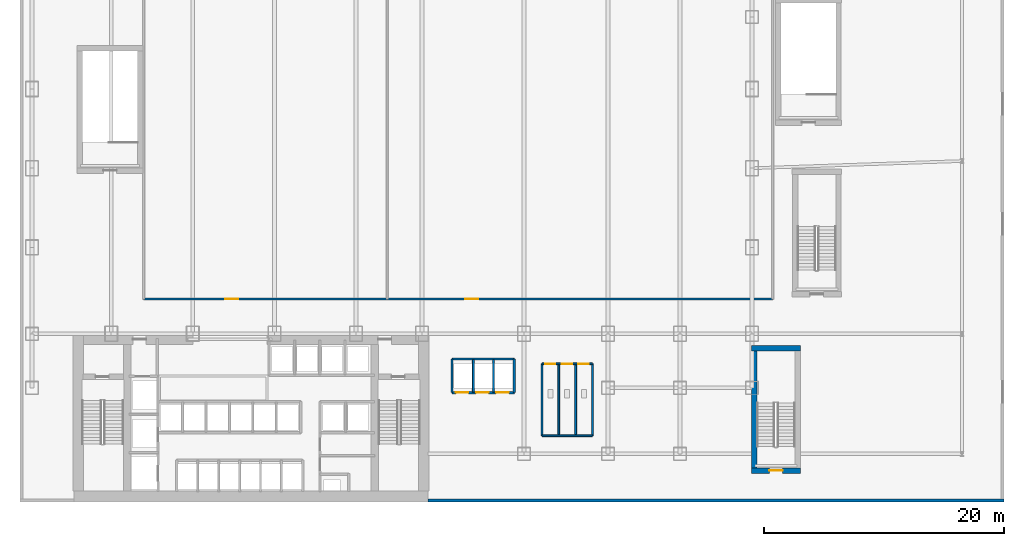
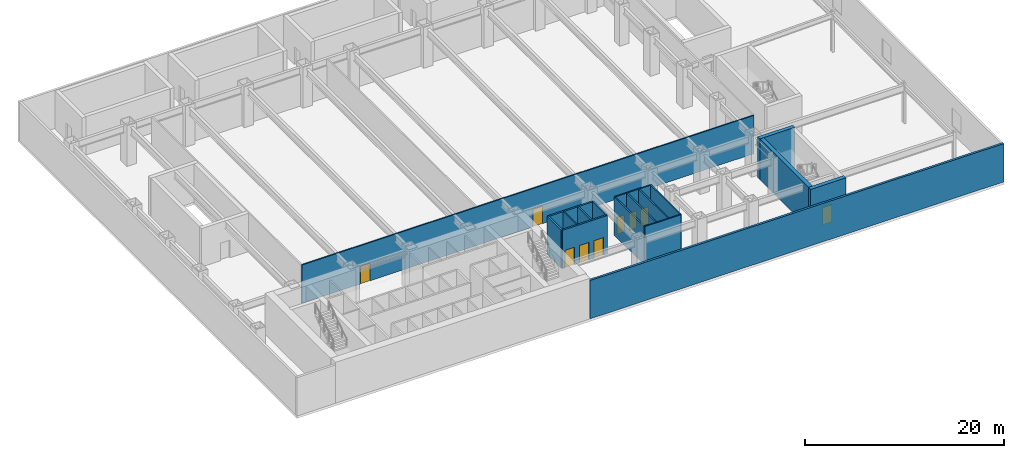
# One storey, part 7 of 14: 17 walls, 9 doors, 9 openings.
"""IFC4 building model written with IfcOpenShell, lengths in metres."""

from ifc_helpers import new_model, si_unit, derived_unit, direction, frame, frame_2d, origin, place, context, subcontext, project, spatial, rectangle, extrude, source, transform, mapped, material, layer, layer_set, type_object, element, fill, save


model = new_model("IFC4")

# Units and contexts
model_context = context("Model", 3, precision=1e-05, world=origin(), true_north=direction((0.0, 1.0)))
body_context = subcontext(model_context, "Body", "Model", "MODEL_VIEW")
ifc_project = project(units=[si_unit("LENGTHUNIT", "METRE"), si_unit("AREAUNIT", "SQUARE_METRE"), si_unit("VOLUMEUNIT", "CUBIC_METRE"), si_unit("PLANEANGLEUNIT", "RADIAN"), si_unit("MASSUNIT", "GRAM", prefix="KILO"), derived_unit("THERMALTRANSMITTANCEUNIT", [(si_unit("POWERUNIT", "WATT"), 1), (si_unit("LENGTHUNIT", "METRE"), -2), (si_unit("THERMODYNAMICTEMPERATUREUNIT", "KELVIN"), -1)])], contexts=[model_context])

# Site, building, storey
site_placement = place(None, origin())
site = spatial("IfcSite", under=ifc_project, at=site_placement, CompositionType="ELEMENT")
building_placement = place(site_placement, origin())
building = spatial("IfcBuilding", under=site, at=building_placement, Name="Skarnbrae Concourse Arena and Tower", CompositionType="ELEMENT")
storey_placement = place(building_placement, frame((0.0, 0.0, 21.0)))
storey = spatial("IfcBuildingStorey", under=building, at=storey_placement, Name="L04", CompositionType="ELEMENT", Elevation=21.0)

# Wall
ifc_material_1 = material(Name="Precast concrete 40 MPa (C40/50)", Category="concrete")
ifc_layer_1 = layer(ifc_material_1, 0.25)
ifc_layer_set_1 = layer_set([ifc_layer_1], Name="Precast concrete 40 MPa (C40/50)")
wall_type_1 = type_object("IfcWallType", Name="WALL-EXT-SPANDREL-250", PredefinedType="STANDARD", material=ifc_layer_set_1)
shared_shape_1 = source(origin(), body_context, "Body", "SweptSolid", [
    extrude(rectangle(XDim=48.0, YDim=0.25, at=frame_2d((24.0, 0.0))), origin(), (0.0, 0.0, 1.0), 4.699951171875),
])
wall_1_placement = place(storey_placement, frame((34.0, 0.125, 0.0), z_axis=(0.0, 0.0, 1.0), x_axis=(1.0, 0.0, 0.0)))
element("IfcWall", 1, at=wall_1_placement, inside=storey, type_object=wall_type_1, Name="L04 Podium exterior precast wall SE", PredefinedType="STANDARD", context=body_context, shape_type="MappedRepresentation", body=[
    mapped(shared_shape_1, transform((0.0, 0.0, 0.0))),
])

# Wall, opening, door
ifc_material_2 = material(Name="Concrete 50 MPa (C50/60)", Category="concrete")
ifc_layer_2 = layer(ifc_material_2, 0.449951171875)
ifc_layer_set_2 = layer_set([ifc_layer_2], Name="Concrete 50 MPa (C50/60)")
wall_type_2 = type_object("IfcWallType", Name="WALL-CORE-450-C50", PredefinedType="SHEAR", material=ifc_layer_set_2)
shared_shape_2 = source(origin(), body_context, "Body", "SweptSolid", [
    extrude(rectangle(XDim=4.10009765625, YDim=0.449951171875, at=frame_2d((2.050048828125, 0.0))), origin(), (0.0, 0.0, 1.0), 5.0),
])
wall_2_placement = place(storey_placement, frame((60.949951171875, 2.594970703125, 0.0), z_axis=(0.0, 0.0, 1.0), x_axis=(1.0, 0.0, 0.0)))
wall_2 = element("IfcWall", 2, at=wall_2_placement, inside=storey, type_object=wall_type_2, Name="L04 Protected stair shaft wall ST-A1-S", PredefinedType="SHEAR", context=body_context, shape_type="MappedRepresentation", body=[
    mapped(shared_shape_2, transform((0.0, 0.0, 0.0))),
])
opening_1_placement = place(wall_2_placement, frame((1.5, 0.0, 0.0)))
opening_1 = element("IfcOpeningElement", 3, at=opening_1_placement, cuts=wall_2, Name="Opening DT-03", PredefinedType="OPENING", context=body_context, shape_type="SweptSolid", body=[
    extrude(rectangle(XDim=1.10009765625, YDim=2.14990234375, at=frame_2d((0.550048828125, 1.074951171875))), frame((0.0, 0.23486328125, 0.0), z_axis=(0.0, -1.0, 0.0), x_axis=(1.0, 0.0, 0.0)), (0.0, 0.0, 1.0), 0.469970703125),
])
ifc_material_3 = material(Name="Steel CSA G40.21 350W", Category="steel")
door_type_1 = type_object("IfcDoorType", Name="DOOR-FIRE-1100-90M", OperationType="NOTDEFINED", PredefinedType="DOOR", material=ifc_material_3)
shared_shape_3 = source(origin(), body_context, "Body", "SweptSolid", [
    extrude(rectangle(XDim=1.10009765625, YDim=2.14990234375, at=frame_2d((0.550048828125, 1.074951171875))), frame((0.0, 0.02490234375, 0.0), z_axis=(0.0, -1.0, 0.0), x_axis=(1.0, 0.0, 0.0)), (0.0, 0.0, 1.0), 0.050048828125),
])
door_1_placement = place(opening_1_placement, origin())
door_1 = element("IfcDoor", 4, at=door_1_placement, inside=storey, type_object=door_type_1, Name="D-0298 Exit Stair ST-A1 Door", OperationType="SINGLE_SWING_LEFT", OverallHeight=2.14990234375, OverallWidth=1.10009765625, PredefinedType="DOOR", context=body_context, shape_type="MappedRepresentation", body=[
    mapped(shared_shape_3, transform((0.0, 0.0, 0.0))),
])
fill(opening_1, door_1)

# Walls
wall_3_placement = place(storey_placement, frame((60.949951171875, 12.804931640625, 0.0), z_axis=(0.0, 0.0, 1.0), x_axis=(1.0, 0.0, 0.0)))
element("IfcWall", 5, at=wall_3_placement, inside=storey, type_object=wall_type_2, Name="L04 Protected stair shaft wall ST-A1-N", PredefinedType="SHEAR", context=body_context, shape_type="MappedRepresentation", body=[
    mapped(shared_shape_2, transform((0.0, 0.0, 0.0))),
])
shared_shape_4 = source(origin(), body_context, "Body", "SweptSolid", [
    extrude(rectangle(XDim=9.800048828125, YDim=0.449951171875, at=frame_2d((4.89990234375, 0.0))), origin(), (0.0, 0.0, 1.0), 5.0),
])
wall_4_placement = place(storey_placement, frame((61.195068359375, 2.800048828125, 0.0), z_axis=(0.0, 0.0, 1.0), x_axis=(0.0, 1.0, 0.0)))
element("IfcWall", 6, at=wall_4_placement, inside=storey, type_object=wall_type_2, Name="L04 Protected stair shaft wall ST-A1-W", PredefinedType="SHEAR", context=body_context, shape_type="MappedRepresentation", body=[
    mapped(shared_shape_4, transform((0.0, 0.0, 0.0))),
])

# Wall, openings, doors
ifc_material_4 = material(Name="Gypsum board on cold-formed steel studs", Category="steel")
ifc_layer_3 = layer(ifc_material_4, 0.199951171875)
ifc_layer_set_3 = layer_set([ifc_layer_3], Name="Gypsum board on cold-formed steel studs")
wall_type_3 = type_object("IfcWallType", Name="WALL-PART-200-2HR", PredefinedType="PARTITIONING", material=ifc_layer_set_3)
shared_shape_5 = source(origin(), body_context, "Body", "SweptSolid", [
    extrude(rectangle(XDim=5.199951171875, YDim=0.199951171875, at=frame_2d((2.60009765625, 0.0))), origin(), (0.0, 0.0, 1.0), 4.699951171875),
])
wall_5_placement = place(storey_placement, frame((36.0, 9.10009765625, 0.0), z_axis=(0.0, 0.0, 1.0), x_axis=(1.0, 0.0, 0.0)))
wall_5 = element("IfcWall", 7, at=wall_5_placement, inside=storey, type_object=wall_type_3, Name="L04 Interior partition wall W-L04-PLP-S", PredefinedType="PARTITIONING", context=body_context, shape_type="MappedRepresentation", body=[
    mapped(shared_shape_5, transform((0.0, 0.0, 0.0))),
])
opening_2_placement = place(wall_5_placement, frame((0.320068359375, 0.0, 0.0)))
opening_2 = element("IfcOpeningElement", 8, at=opening_2_placement, cuts=wall_5, Name="Opening LD-03", PredefinedType="OPENING", context=body_context, shape_type="SweptSolid", body=[
    extrude(rectangle(XDim=1.050048828125, YDim=2.14990234375, at=frame_2d((0.52490234375, 1.074951171875))), frame((0.0, 0.10986328125, 0.0), z_axis=(0.0, -1.0, 0.0), x_axis=(1.0, 0.0, 0.0)), (0.0, 0.0, 1.0), 0.219970703125),
])
opening_3_placement = place(wall_5_placement, frame((2.0, 0.0, 0.0)))
opening_3 = element("IfcOpeningElement", 9, at=opening_3_placement, cuts=wall_5, Name="Opening LD-03", PredefinedType="OPENING", context=body_context, shape_type="SweptSolid", body=[
    extrude(rectangle(XDim=1.050048828125, YDim=2.14990234375, at=frame_2d((0.52490234375, 1.074951171875))), frame((0.0, 0.10986328125, 0.0), z_axis=(0.0, -1.0, 0.0), x_axis=(1.0, 0.0, 0.0)), (0.0, 0.0, 1.0), 0.219970703125),
])
opening_4_placement = place(wall_5_placement, frame((3.679931640625, 0.0, 0.0)))
opening_4 = element("IfcOpeningElement", 10, at=opening_4_placement, cuts=wall_5, Name="Opening LD-03", PredefinedType="OPENING", context=body_context, shape_type="SweptSolid", body=[
    extrude(rectangle(XDim=1.050048828125, YDim=2.14990234375, at=frame_2d((0.52490234375, 1.074951171875))), frame((0.0, 0.10986328125, 0.0), z_axis=(0.0, -1.0, 0.0), x_axis=(1.0, 0.0, 0.0)), (0.0, 0.0, 1.0), 0.219970703125),
])
ifc_material_5 = material(Name="Bronze anodised aluminium 6063-T6", Category="aluminium")
door_type_2 = type_object("IfcDoorType", Name="DOOR-LIFT-SLIDE-1050", OperationType="SLIDING_TO_LEFT", PredefinedType="DOOR", material=ifc_material_5)
shared_shape_6 = source(origin(), body_context, "Body", "SweptSolid", [
    extrude(rectangle(XDim=1.050048828125, YDim=2.14990234375, at=frame_2d((0.52490234375, 1.074951171875))), frame((0.0, 0.02490234375, 0.0), z_axis=(0.0, -1.0, 0.0), x_axis=(1.0, 0.0, 0.0)), (0.0, 0.0, 1.0), 0.050048828125),
])
door_2_placement = place(opening_2_placement, frame((1.050048828125, 0.0, 0.0), z_axis=(0.0, 0.0, 1.0), x_axis=(-1.0, 0.0, 0.0)))
door_2 = element("IfcDoor", 11, at=door_2_placement, inside=storey, type_object=door_type_2, Name="D-0290 Transit Lift Landing Door PL-P1", OperationType="SLIDING_TO_LEFT", OverallHeight=2.14990234375, OverallWidth=1.050048828125, PredefinedType="DOOR", context=body_context, shape_type="MappedRepresentation", body=[
    mapped(shared_shape_6, transform((0.0, 0.0, 0.0))),
])
fill(opening_2, door_2)
door_3_placement = place(opening_3_placement, frame((1.050048828125, 0.0, 0.0), z_axis=(0.0, 0.0, 1.0), x_axis=(-1.0, 0.0, 0.0)))
door_3 = element("IfcDoor", 12, at=door_3_placement, inside=storey, type_object=door_type_2, Name="D-0291 Transit Lift Landing Door PL-P2", OperationType="SLIDING_TO_LEFT", OverallHeight=2.14990234375, OverallWidth=1.050048828125, PredefinedType="DOOR", context=body_context, shape_type="MappedRepresentation", body=[
    mapped(shared_shape_6, transform((0.0, 0.0, 0.0))),
])
fill(opening_3, door_3)
door_4_placement = place(opening_4_placement, frame((1.050048828125, 0.0, 0.0), z_axis=(0.0, 0.0, 1.0), x_axis=(-1.0, 0.0, 0.0)))
door_4 = element("IfcDoor", 13, at=door_4_placement, inside=storey, type_object=door_type_2, Name="D-0292 Transit Lift Landing Door PL-P3", OperationType="SLIDING_TO_LEFT", OverallHeight=2.14990234375, OverallWidth=1.050048828125, PredefinedType="DOOR", context=body_context, shape_type="MappedRepresentation", body=[
    mapped(shared_shape_6, transform((0.0, 0.0, 0.0))),
])
fill(opening_4, door_4)

# Walls
wall_6_placement = place(storey_placement, frame((36.0, 11.89990234375, 0.0), z_axis=(0.0, 0.0, 1.0), x_axis=(1.0, 0.0, 0.0)))
element("IfcWall", 14, at=wall_6_placement, inside=storey, type_object=wall_type_3, Name="L04 Interior partition wall W-L04-PLP-N", PredefinedType="PARTITIONING", context=body_context, shape_type="MappedRepresentation", body=[
    mapped(shared_shape_5, transform((0.0, 0.0, 0.0))),
])
shared_shape_7 = source(origin(), body_context, "Body", "SweptSolid", [
    extrude(rectangle(XDim=2.7998046875, YDim=0.199951171875, at=frame_2d((1.39990234375, 0.0))), origin(), (0.0, 0.0, 1.0), 4.699951171875),
])
for number, where, z_axis, x_axis, name in (
    (15, (36.0, 9.10009765625, 0.0), (0.0, 0.0, 1.0), (0.0, 1.0, 0.0), "L04 Interior partition wall W-L04-PLP-W"),
    (16, (41.199951171875, 9.10009765625, 0.0), (0.0, 0.0, 1.0), (0.0, 1.0, 0.0), "L04 Interior partition wall W-L04-PLP-E"),
):
    element("IfcWall", number, at=place(storey_placement, frame(where, z_axis=z_axis, x_axis=x_axis)), inside=storey, type_object=wall_type_3, Name=name, PredefinedType="PARTITIONING", context=body_context, shape_type="MappedRepresentation", body=[
        mapped(shared_shape_7, transform((0.0, 0.0, 0.0))),
    ])
ifc_layer_4 = layer(ifc_material_4, 0.14990234375)
ifc_layer_set_4 = layer_set([ifc_layer_4], Name="Gypsum board on cold-formed steel studs")
wall_type_4 = type_object("IfcWallType", Name="WALL-PART-150", PredefinedType="PARTITIONING", material=ifc_layer_set_4)
shared_shape_8 = source(origin(), body_context, "Body", "SweptSolid", [
    extrude(rectangle(XDim=2.7001953125, YDim=0.14990234375, at=frame_2d((1.35009765625, 0.0))), origin(), (0.0, 0.0, 1.0), 4.699951171875),
])
for number, where, z_axis, x_axis, name in (
    (17, (37.780029296875, 9.14990234375, 0.0), (0.0, 0.0, 1.0), (0.0, 1.0, 0.0), "L04 Interior partition wall W-L04-PLP-D1"),
    (18, (39.4599609375, 9.14990234375, 0.0), (0.0, 0.0, 1.0), (0.0, 1.0, 0.0), "L04 Interior partition wall W-L04-PLP-D2"),
):
    element("IfcWall", number, at=place(storey_placement, frame(where, z_axis=z_axis, x_axis=x_axis)), inside=storey, type_object=wall_type_4, Name=name, PredefinedType="PARTITIONING", context=body_context, shape_type="MappedRepresentation", body=[
        mapped(shared_shape_8, transform((0.0, 0.0, 0.0))),
    ])

# Wall, openings, doors
shared_shape_9 = source(origin(), body_context, "Body", "SweptSolid", [
    extrude(rectangle(XDim=4.199951171875, YDim=0.14990234375, at=frame_2d((2.10009765625, 0.0))), origin(), (0.0, 0.0, 1.0), 4.699951171875),
])
wall_7_placement = place(storey_placement, frame((43.5, 11.5, 0.0), z_axis=(0.0, 0.0, 1.0), x_axis=(1.0, 0.0, 0.0)))
wall_7 = element("IfcWall", 19, at=wall_7_placement, inside=storey, type_object=wall_type_4, Name="L04 Interior partition wall W-L04-PWC-N", PredefinedType="PARTITIONING", context=body_context, shape_type="MappedRepresentation", body=[
    mapped(shared_shape_9, transform((0.0, 0.0, 0.0))),
])
opening_5_placement = place(wall_7_placement, frame((0.25, 0.0, 0.0)))
opening_5 = element("IfcOpeningElement", 20, at=opening_5_placement, cuts=wall_7, Name="Opening DT-06", PredefinedType="OPENING", context=body_context, shape_type="SweptSolid", body=[
    extrude(rectangle(XDim=0.85009765625, YDim=2.10009765625, at=frame_2d((0.425048828125, 1.050048828125))), frame((0.0, 0.0849609375, 0.0), z_axis=(0.0, -1.0, 0.0), x_axis=(1.0, 0.0, 0.0)), (0.0, 0.0, 1.0), 0.169921875),
])
opening_6_placement = place(wall_7_placement, frame((1.64990234375, 0.0, 0.0)))
opening_6 = element("IfcOpeningElement", 21, at=opening_6_placement, cuts=wall_7, Name="Opening DT-06", PredefinedType="OPENING", context=body_context, shape_type="SweptSolid", body=[
    extrude(rectangle(XDim=0.85009765625, YDim=2.10009765625, at=frame_2d((0.425048828125, 1.050048828125))), frame((0.0, 0.0849609375, 0.0), z_axis=(0.0, -1.0, 0.0), x_axis=(1.0, 0.0, 0.0)), (0.0, 0.0, 1.0), 0.169921875),
])
opening_7_placement = place(wall_7_placement, frame((3.0, 0.0, 0.0)))
opening_7 = element("IfcOpeningElement", 22, at=opening_7_placement, cuts=wall_7, Name="Opening DT-05", PredefinedType="OPENING", context=body_context, shape_type="SweptSolid", body=[
    extrude(rectangle(XDim=0.89990234375, YDim=2.10009765625, at=frame_2d((0.449951171875, 1.050048828125))), frame((0.0, 0.0849609375, 0.0), z_axis=(0.0, -1.0, 0.0), x_axis=(1.0, 0.0, 0.0)), (0.0, 0.0, 1.0), 0.169921875),
])
ifc_material_6 = material(Name="Architectural oak veneer timber leaf", Category="wood")
door_type_3 = type_object("IfcDoorType", Name="DOOR-INT-850", OperationType="NOTDEFINED", PredefinedType="DOOR", material=ifc_material_6)
shared_shape_10 = source(origin(), body_context, "Body", "SweptSolid", [
    extrude(rectangle(XDim=0.85009765625, YDim=2.10009765625, at=frame_2d((0.425048828125, 1.050048828125))), frame((0.0, 0.02490234375, 0.0), z_axis=(0.0, -1.0, 0.0), x_axis=(1.0, 0.0, 0.0)), (0.0, 0.0, 1.0), 0.050048828125),
])
door_5_placement = place(opening_5_placement, frame((0.85009765625, 0.0, 0.0), z_axis=(0.0, 0.0, 1.0), x_axis=(-1.0, 0.0, 0.0)))
door_5 = element("IfcDoor", 23, at=door_5_placement, inside=storey, type_object=door_type_3, Name="D-0293 Public Male WC Door", OperationType="SINGLE_SWING_LEFT", OverallHeight=2.10009765625, OverallWidth=0.85009765625, PredefinedType="DOOR", context=body_context, shape_type="MappedRepresentation", body=[
    mapped(shared_shape_10, transform((0.0, 0.0, 0.0))),
])
fill(opening_5, door_5)
door_6_placement = place(opening_6_placement, frame((0.85009765625, 0.0, 0.0), z_axis=(0.0, 0.0, 1.0), x_axis=(-1.0, 0.0, 0.0)))
door_6 = element("IfcDoor", 24, at=door_6_placement, inside=storey, type_object=door_type_3, Name="D-0294 Public Female WC Door", OperationType="SINGLE_SWING_RIGHT", OverallHeight=2.10009765625, OverallWidth=0.85009765625, PredefinedType="DOOR", context=body_context, shape_type="MappedRepresentation", body=[
    mapped(shared_shape_10, transform((0.0, 0.0, 0.0))),
])
fill(opening_6, door_6)
door_type_4 = type_object("IfcDoorType", Name="DOOR-INT-900", OperationType="NOTDEFINED", PredefinedType="DOOR", material=ifc_material_6)
shared_shape_11 = source(origin(), body_context, "Body", "SweptSolid", [
    extrude(rectangle(XDim=0.89990234375, YDim=2.10009765625, at=frame_2d((0.449951171875, 1.050048828125))), frame((0.0, 0.02490234375, 0.0), z_axis=(0.0, -1.0, 0.0), x_axis=(1.0, 0.0, 0.0)), (0.0, 0.0, 1.0), 0.050048828125),
])
door_7_placement = place(opening_7_placement, frame((0.89990234375, 0.0, 0.0), z_axis=(0.0, 0.0, 1.0), x_axis=(-1.0, 0.0, 0.0)))
door_7 = element("IfcDoor", 25, at=door_7_placement, inside=storey, type_object=door_type_4, Name="D-0295 Public Accessible WC Door", OperationType="SINGLE_SWING_LEFT", OverallHeight=2.10009765625, OverallWidth=0.89990234375, PredefinedType="DOOR", context=body_context, shape_type="MappedRepresentation", body=[
    mapped(shared_shape_11, transform((0.0, 0.0, 0.0))),
])
fill(opening_7, door_7)

# Walls
wall_8_placement = place(storey_placement, frame((43.5, 5.5, 0.0), z_axis=(0.0, 0.0, 1.0), x_axis=(1.0, 0.0, 0.0)))
element("IfcWall", 26, at=wall_8_placement, inside=storey, type_object=wall_type_4, Name="L04 Interior partition wall W-L04-PWC-S", PredefinedType="PARTITIONING", context=body_context, shape_type="MappedRepresentation", body=[
    mapped(shared_shape_9, transform((0.0, 0.0, 0.0))),
])
shared_shape_12 = source(origin(), body_context, "Body", "SweptSolid", [
    extrude(rectangle(XDim=6.0, YDim=0.14990234375, at=frame_2d((3.0, 0.0))), origin(), (0.0, 0.0, 1.0), 4.699951171875),
])
for number, where, z_axis, x_axis, name in (
    (27, (43.5, 5.5, 0.0), (0.0, 0.0, 1.0), (0.0, 1.0, 0.0), "L04 Interior partition wall W-L04-PWC-W"),
    (28, (47.699951171875, 5.5, 0.0), (0.0, 0.0, 1.0), (0.0, 1.0, 0.0), "L04 Interior partition wall W-L04-PWC-E"),
    (29, (44.89990234375, 5.5, 0.0), (0.0, 0.0, 1.0), (0.0, 1.0, 0.0), "L04 Interior partition wall W-L04-PWC-D1"),
    (30, (46.300048828125, 5.5, 0.0), (0.0, 0.0, 1.0), (0.0, 1.0, 0.0), "L04 Interior partition wall W-L04-PWC-D2"),
):
    element("IfcWall", number, at=place(storey_placement, frame(where, z_axis=z_axis, x_axis=x_axis)), inside=storey, type_object=wall_type_4, Name=name, PredefinedType="PARTITIONING", context=body_context, shape_type="MappedRepresentation", body=[
        mapped(shared_shape_12, transform((0.0, 0.0, 0.0))),
    ])

# Wall, openings, doors
ifc_layer_5 = layer(ifc_material_4, 0.14990234375)
ifc_layer_set_5 = layer_set([ifc_layer_5], Name="Gypsum board on cold-formed steel studs")
wall_type_5 = type_object("IfcWallType", Name="WALL-PART-150-1HR", PredefinedType="PARTITIONING", material=ifc_layer_set_5)
shared_shape_13 = source(origin(), body_context, "Body", "SweptSolid", [
    extrude(rectangle(XDim=52.419921875, YDim=0.14990234375, at=frame_2d((26.2099609375, 0.0))), origin(), (0.0, 0.0, 1.0), 4.699951171875),
])
wall_9_placement = place(storey_placement, frame((10.300048828125, 16.89990234375, 0.0), z_axis=(0.0, 0.0, 1.0), x_axis=(1.0, 0.0, 0.0)))
wall_9 = element("IfcWall", 31, at=wall_9_placement, inside=storey, type_object=wall_type_5, Name="L04 Interior partition wall W-L04-CS", PredefinedType="PARTITIONING", context=body_context, shape_type="MappedRepresentation", body=[
    mapped(shared_shape_13, transform((0.0, 0.0, 0.0))),
])
opening_8_placement = place(wall_9_placement, frame((6.800048828125, 0.0, 0.0)))
opening_8 = element("IfcOpeningElement", 32, at=opening_8_placement, cuts=wall_9, Name="Opening DT-03", PredefinedType="OPENING", context=body_context, shape_type="SweptSolid", body=[
    extrude(rectangle(XDim=1.10009765625, YDim=2.14990234375, at=frame_2d((0.550048828125, 1.074951171875))), frame((0.0, 0.0849609375, 0.0), z_axis=(0.0, -1.0, 0.0), x_axis=(1.0, 0.0, 0.0)), (0.0, 0.0, 1.0), 0.169921875),
])
opening_9_placement = place(wall_9_placement, frame((26.800048828125, 0.0, 0.0)))
opening_9 = element("IfcOpeningElement", 33, at=opening_9_placement, cuts=wall_9, Name="Opening DT-03", PredefinedType="OPENING", context=body_context, shape_type="SweptSolid", body=[
    extrude(rectangle(XDim=1.10009765625, YDim=2.14990234375, at=frame_2d((0.550048828125, 1.074951171875))), frame((0.0, 0.0849609375, 0.0), z_axis=(0.0, -1.0, 0.0), x_axis=(1.0, 0.0, 0.0)), (0.0, 0.0, 1.0), 0.169921875),
])
door_8_placement = place(opening_8_placement, origin())
door_8 = element("IfcDoor", 34, at=door_8_placement, inside=storey, type_object=door_type_1, Name="D-0296 Press Suite Door", OperationType="SINGLE_SWING_LEFT", OverallHeight=2.14990234375, OverallWidth=1.10009765625, PredefinedType="DOOR", context=body_context, shape_type="MappedRepresentation", body=[
    mapped(shared_shape_3, transform((0.0, 0.0, 0.0))),
])
fill(opening_8, door_8)
door_9_placement = place(opening_9_placement, origin())
door_9 = element("IfcDoor", 35, at=door_9_placement, inside=storey, type_object=door_type_1, Name="D-0297 Event Conference Hall Door", OperationType="SINGLE_SWING_RIGHT", OverallHeight=2.14990234375, OverallWidth=1.10009765625, PredefinedType="DOOR", context=body_context, shape_type="MappedRepresentation", body=[
    mapped(shared_shape_3, transform((0.0, 0.0, 0.0))),
])
fill(opening_9, door_9)

save(model, "model.ifc")
